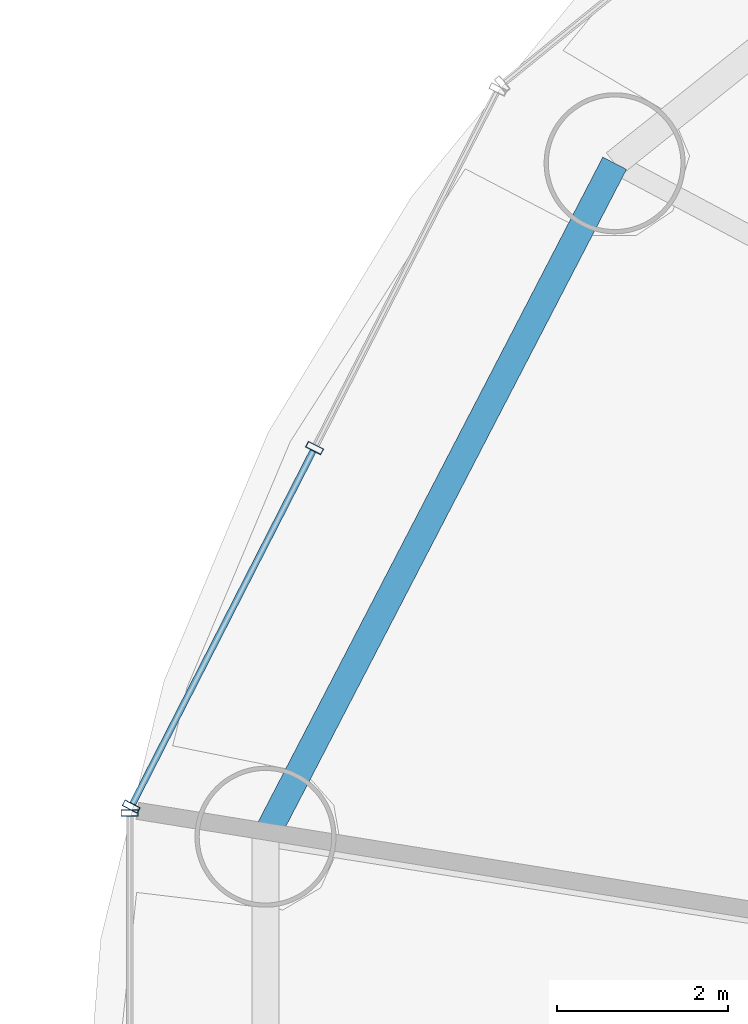
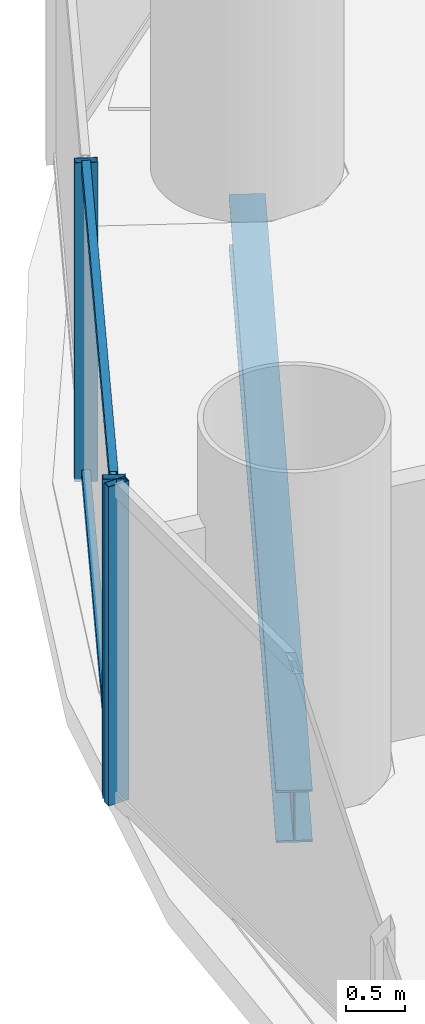
# One storey, part 8 of 30: 5 members, 1 beam, 2 elements without a shape of their own.
"""IFC4 building model written with IfcOpenShell, lengths in metres."""

from ifc_helpers import new_model, si_unit, direction, frame, origin, origin_2d, place, context, subcontext, project, spatial, hollow_rectangle, i_section, extrude, source, transform, mapped, material, material_profile, profile_set, type_object, element, aggregate, save


model = new_model("IFC4")

# Units and contexts
model_context = context("Model", 3, precision=1e-05, world=origin(), true_north=direction((-0.2419218956, 0.970295726276)))
body_context = subcontext(model_context, "Body", "Model", "MODEL_VIEW")
ifc_project = project(units=[si_unit("LENGTHUNIT", "METRE"), si_unit("AREAUNIT", "SQUARE_METRE"), si_unit("VOLUMEUNIT", "CUBIC_METRE"), si_unit("PLANEANGLEUNIT", "RADIAN"), si_unit("MASSUNIT", "GRAM", prefix="KILO")], contexts=[model_context])

# Site, building, storey
site_placement = place(None, origin())
site = spatial("IfcSite", under=ifc_project, at=site_placement, CompositionType="ELEMENT")
building_placement = place(site_placement, origin())
building = spatial("IfcBuilding", under=site, at=building_placement, Name="Cobrevalo Terracotta Tower", CompositionType="ELEMENT")
storey_placement = place(building_placement, frame((0.0, 0.0, 31.199951171875)))
storey = spatial("IfcBuildingStorey", under=building, at=storey_placement, Name="L07", CompositionType="ELEMENT", Elevation=31.199951171875)

# Beam
ifc_material_1 = material(Name="Steel S355", Category="steel")
ifc_material_profile_1 = material_profile(ifc_material_1, i_section(OverallWidth=0.31201171875, OverallDepth=0.54296875, WebThickness=0.0126953125, FlangeThickness=0.020263671875, at=origin_2d()), Name="W 530x150")
ifc_profile_set_1 = profile_set([ifc_material_profile_1], Name="Steel S355")
beam_type = type_object("IfcBeamType", Name="Structural Spandrel W 530x150 (Steel S355)", PredefinedType="SPANDREL", material=ifc_profile_set_1)
beam_placement = place(storey_placement, frame((15.25927734375, 38.939208984375, -0.551513671875), z_axis=(-0.460285838799, -0.88777077368, 0.0), x_axis=(0.88777077368, -0.460285838799, 0.0)))
element("IfcBeam", 1, at=beam_placement, inside=storey, type_object=beam_type, Name="L07 perimeter ring spandrel 07", PredefinedType="SPANDREL", context=body_context, shape_type="SweptSolid", body=[
    extrude(i_section(OverallWidth=0.31201171875, OverallDepth=0.54296875, WebThickness=0.0126953125, FlangeThickness=0.020263671875, at=origin_2d()), origin(), (0.0, 0.0, 1.0), 8.8720703125),
])

# Curtain wall, members
ifc_material_2 = material(Name="Anodized aluminium", Category="aluminium")
curtain_wall_type = type_object("IfcCurtainWallType", Name="Lower-tower unitised acoustic low-E curtain wall CW-U1", PredefinedType="NOTDEFINED", material=ifc_material_2)
curtain_wall_1_placement = place(storey_placement, origin())
curtain_wall_1 = element("IfcCurtainWall", 2, at=curtain_wall_1_placement, inside=storey, type_object=curtain_wall_type, Name="L07 curtain wall CW-L07-S07", PredefinedType="NOTDEFINED")
ifc_material_profile_2 = material_profile(ifc_material_2, hollow_rectangle(XDim=0.074951171875, YDim=0.199951171875, WallThickness=0.0048828125, at=origin_2d()), Name="CWM 75x200")
ifc_profile_set_2 = profile_set([ifc_material_profile_2], Name="Anodized aluminium")
member_type_1 = type_object("IfcMemberType", Name="Lower/mid tower unitised mullion 75x200", PredefinedType="MULLION", material=ifc_profile_set_2)
shared_shape_1 = source(origin(), body_context, "Body", "SweptSolid", [
    extrude(hollow_rectangle(XDim=0.074951171875, YDim=0.199951171875, WallThickness=0.0048828125, at=origin_2d()), origin(), (0.0, 0.0, 1.0), 3.320068359375),
])
member_1_placement = place(storey_placement, frame((11.74951171875, 35.60888671875, 0.0), z_axis=(0.0, 0.0, 1.0), x_axis=(-0.455234136597, -0.890371765543, 0.0)))
member_1 = element("IfcMember", 3, at=member_1_placement, type_object=member_type_1, Name="CW-L07-S07 vertical mullion 02", PredefinedType="MULLION", context=body_context, shape_type="MappedRepresentation", body=[
    mapped(shared_shape_1, transform((0.0, 0.0, 0.0), scale=1.0)),
])
member_2_placement = place(storey_placement, frame((9.60498046875, 31.414306640625, 0.0), z_axis=(0.0, 0.0, 1.0), x_axis=(-0.455234136597, -0.890371765543, 0.0)))
member_2 = element("IfcMember", 4, at=member_2_placement, type_object=member_type_1, Name="CW-L07-S07 vertical mullion 03", PredefinedType="MULLION", context=body_context, shape_type="MappedRepresentation", body=[
    mapped(shared_shape_1, transform((0.0, 0.0, 0.0), scale=1.0)),
])

# Curtain wall, member
curtain_wall_2_placement = place(storey_placement, origin())
curtain_wall_2 = element("IfcCurtainWall", 5, at=curtain_wall_2_placement, inside=storey, type_object=curtain_wall_type, Name="L07 curtain wall CW-L07-S08", PredefinedType="NOTDEFINED")
member_3_placement = place(storey_placement, frame((9.586669921875, 31.3388671875, 0.0), z_axis=(0.0, 0.0, 1.0), x_axis=(0.0, -1.0, 0.0)))
member_3 = element("IfcMember", 6, at=member_3_placement, type_object=member_type_1, Name="CW-L07-S08 vertical mullion 01", PredefinedType="MULLION", context=body_context, shape_type="MappedRepresentation", body=[
    mapped(shared_shape_1, transform((0.0, 0.0, 0.0), scale=1.0)),
])
aggregate(curtain_wall_2, [member_3])

# Member
ifc_material_profile_3 = material_profile(ifc_material_2, hollow_rectangle(XDim=0.074951171875, YDim=0.14990234375, WallThickness=0.00439453125, at=origin_2d()), Name="CWT 75x150")
ifc_profile_set_3 = profile_set([ifc_material_profile_3], Name="Anodized aluminium")
member_type_2 = type_object("IfcMemberType", Name="Tower unitised aluminium transom 75x150", PredefinedType="USERDEFINED", material=ifc_profile_set_3)
shared_shape_2 = source(origin(), body_context, "Body", "SweptSolid", [
    extrude(hollow_rectangle(XDim=0.074951171875, YDim=0.14990234375, WallThickness=0.00439453125, at=origin_2d()), origin(), (0.0, 0.0, 1.0), 4.631103515625),
])
member_4_placement = place(storey_placement, frame((11.731201171875, 35.573486328125, 0.050048828125), z_axis=(-0.455208584993, -0.890384829245, 0.0), x_axis=(0.890384829245, -0.455208584993, 0.0)))
member_4 = element("IfcMember", 7, at=member_4_placement, type_object=member_type_2, Name="CW-L07-S07 transom B02-T1", ObjectType="TRANSOM", PredefinedType="USERDEFINED", context=body_context, shape_type="MappedRepresentation", body=[
    mapped(shared_shape_2, transform((0.0, 0.0, 0.0), scale=1.0)),
])

member_5_placement = place(storey_placement, frame((11.731201171875, 35.573486328125, 3.27001953125), z_axis=(-0.455208584993, -0.890384829245, 0.0), x_axis=(0.890384829245, -0.455208584993, 0.0)))
member_5 = element("IfcMember", 8, at=member_5_placement, type_object=member_type_2, Name="CW-L07-S07 transom B02-T2", ObjectType="TRANSOM", PredefinedType="USERDEFINED", context=body_context, shape_type="MappedRepresentation", body=[
    mapped(shared_shape_2, transform((0.0, 0.0, 0.0), scale=1.0)),
])

aggregate(curtain_wall_1, [member_1, member_2, member_4, member_5])

save(model, "model.ifc")
